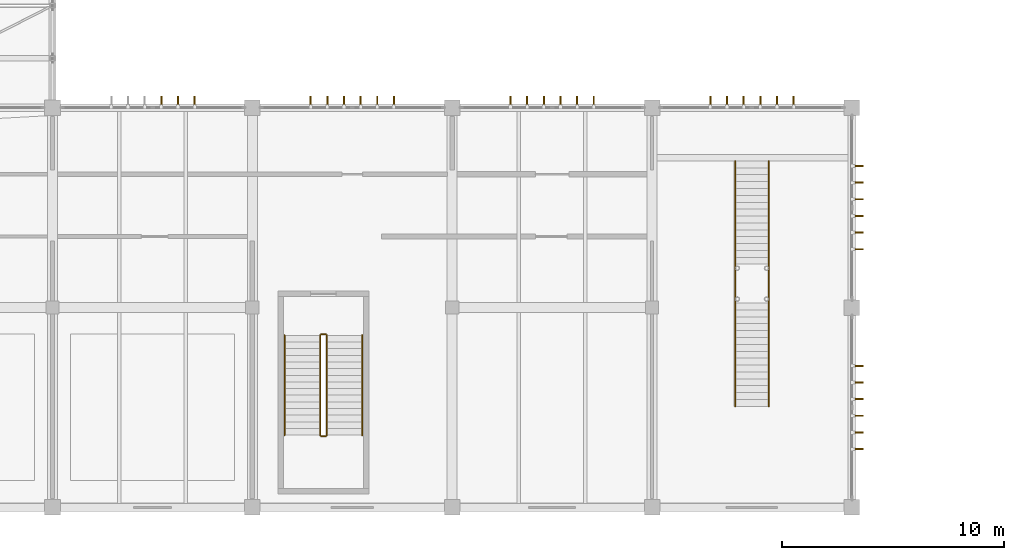
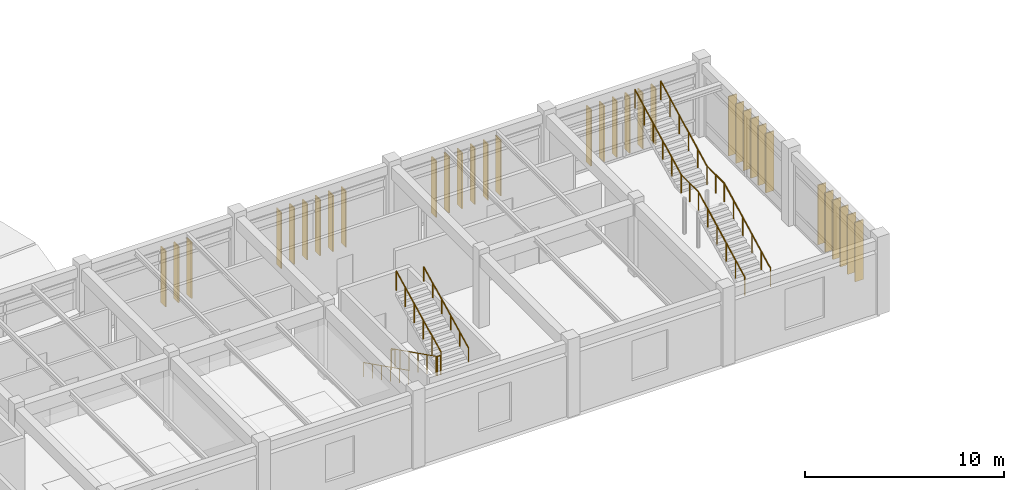
# One storey, part 56 of 61: 33 shading devices, 12 railings.
"""IFC4 building model written with IfcOpenShell, lengths in metres."""

from ifc_helpers import new_model, si_unit, direction, frame, origin, origin_2d, place, context, subcontext, project, spatial, rectangle, circle, extrude, material, type_object, element, save


model = new_model("IFC4")

# Units and contexts
model_context = context("Model", 3, precision=1e-05, world=origin(), true_north=direction((0.0, 1.0)))
body_context = subcontext(model_context, "Body", "Model", "MODEL_VIEW")
ifc_project = project(units=[si_unit("LENGTHUNIT", "METRE"), si_unit("AREAUNIT", "SQUARE_METRE"), si_unit("VOLUMEUNIT", "CUBIC_METRE"), si_unit("PLANEANGLEUNIT", "RADIAN"), si_unit("MASSUNIT", "GRAM", prefix="KILO")], contexts=[model_context])

# Site, building, storey
site_placement = place(None, origin())
site = spatial("IfcSite", under=ifc_project, at=site_placement, CompositionType="ELEMENT")
building_placement = place(site_placement, origin())
building = spatial("IfcBuilding", under=site, at=building_placement, Name="Bozkorgan Art Gallery", CompositionType="ELEMENT")
storey_placement = place(building_placement, frame((0.0, 0.0, 10.199951171875)))
storey = spatial("IfcBuildingStorey", under=building, at=storey_placement, Name="L02", CompositionType="ELEMENT", Elevation=10.199951171875)

# Railings
ifc_material_1 = material(Name="Steel S355J2", Category="steel")
railing_type_1 = type_object("IfcRailingType", Name="RAIL-GRD-115", PredefinedType="GUARDRAIL", material=ifc_material_1)
railing_1_placement = place(storey_placement, frame((41.050048828125, 9.75, 0.150146484375)))
element("IfcRailing", 1, at=railing_1_placement, inside=storey, type_object=railing_type_1, Name="L02 ST12 stair guard 1", PredefinedType="GUARDRAIL", context=body_context, shape_type="SweptSolid", body=[
    extrude(circle(Radius=0.02392578125, at=origin_2d()), frame((0.0, 0.0, 1.17578125), z_axis=(0.0, -0.894427191, 0.4472135955), x_axis=(1.0, 0.0, 0.0)), (0.0, 0.0, 1.0), 5.03125),
    extrude(circle(Radius=0.02099609375, at=origin_2d()), origin(), (0.0, 0.0, 1.0), 1.15185546875),
    extrude(circle(Radius=0.02099609375, at=origin_2d()), frame((0.0, -0.89990234375, 0.449951171875)), (0.0, 0.0, 1.0), 1.15185546875),
    extrude(circle(Radius=0.02099609375, at=origin_2d()), frame((0.0, -1.800048828125, 0.89990234375)), (0.0, 0.0, 1.0), 1.15185546875),
    extrude(circle(Radius=0.02099609375, at=origin_2d()), frame((0.0, -2.699951171875, 1.35009765625)), (0.0, 0.0, 1.0), 1.15185546875),
    extrude(circle(Radius=0.02099609375, at=origin_2d()), frame((0.0, -3.60009765625, 1.800048828125)), (0.0, 0.0, 1.0), 1.15185546875),
    extrude(circle(Radius=0.02099609375, at=origin_2d()), frame((0.0, -4.5, 2.25)), (0.0, 0.0, 1.0), 1.15185546875),
])
railing_2_placement = place(storey_placement, frame((41.10009765625, 5.199951171875, 2.400146484375)))
element("IfcRailing", 2, at=railing_2_placement, inside=storey, type_object=railing_type_1, Name="L02 ST12 stair guard 2", PredefinedType="GUARDRAIL", context=body_context, shape_type="SweptSolid", body=[
    extrude(circle(Radius=0.02392578125, at=origin_2d()), frame((0.0, 0.0, 1.17578125), z_axis=(1.0, 0.0, 0.0), x_axis=(0.0, 1.0, 0.0)), (0.0, 0.0, 1.0), 0.199951171875),
    extrude(circle(Radius=0.02099609375, at=origin_2d()), origin(), (0.0, 0.0, 1.0), 1.15185546875),
    extrude(circle(Radius=0.02099609375, at=origin_2d()), frame((0.199951171875, 0.0, 0.0)), (0.0, 0.0, 1.0), 1.15185546875),
])
railing_3_placement = place(storey_placement, frame((41.35009765625, 5.25, 2.550048828125)))
element("IfcRailing", 3, at=railing_3_placement, inside=storey, type_object=railing_type_1, Name="L02 ST12 stair guard 3", PredefinedType="GUARDRAIL", context=body_context, shape_type="SweptSolid", body=[
    extrude(circle(Radius=0.02392578125, at=origin_2d()), frame((0.0, 0.0, 1.17578125), z_axis=(0.0, 0.894427191, 0.4472135955), x_axis=(-1.0, 0.0, 0.0)), (0.0, 0.0, 1.0), 5.03125),
    extrude(circle(Radius=0.02099609375, at=origin_2d()), origin(), (0.0, 0.0, 1.0), 1.15185546875),
    extrude(circle(Radius=0.02099609375, at=origin_2d()), frame((0.0, 0.89990234375, 0.449951171875)), (0.0, 0.0, 1.0), 1.15185546875),
    extrude(circle(Radius=0.02099609375, at=origin_2d()), frame((0.0, 1.800048828125, 0.89990234375)), (0.0, 0.0, 1.0), 1.15185546875),
    extrude(circle(Radius=0.02099609375, at=origin_2d()), frame((0.0, 2.699951171875, 1.35009765625)), (0.0, 0.0, 1.0), 1.15185546875),
    extrude(circle(Radius=0.02099609375, at=origin_2d()), frame((0.0, 3.60009765625, 1.800048828125)), (0.0, 0.0, 1.0), 1.15185546875),
    extrude(circle(Radius=0.02099609375, at=origin_2d()), frame((0.0, 4.5, 2.25)), (0.0, 0.0, 1.0), 1.15185546875),
])
railing_4_placement = place(storey_placement, frame((41.10009765625, 9.800048828125, 0.0)))
element("IfcRailing", 4, at=railing_4_placement, inside=storey, type_object=railing_type_1, Name="L02 ST12 stair guard 4", PredefinedType="GUARDRAIL", context=body_context, shape_type="SweptSolid", body=[
    extrude(circle(Radius=0.02392578125, at=origin_2d()), frame((0.0, 0.0, 1.17578125), z_axis=(1.0, 0.0, 0.0), x_axis=(0.0, 1.0, 0.0)), (0.0, 0.0, 1.0), 0.199951171875),
    extrude(circle(Radius=0.02099609375, at=origin_2d()), origin(), (0.0, 0.0, 1.0), 1.15185546875),
    extrude(circle(Radius=0.02099609375, at=origin_2d()), frame((0.199951171875, 0.0, 0.0)), (0.0, 0.0, 1.0), 1.15185546875),
])
railing_5_placement = place(storey_placement, frame((59.75, 6.550048828125, 0.0)))
element("IfcRailing", 5, at=railing_5_placement, inside=storey, type_object=railing_type_1, Name="ST8 lower guard W", PredefinedType="GUARDRAIL", context=body_context, shape_type="SweptSolid", body=[
    extrude(circle(Radius=0.02392578125, at=origin_2d()), frame((0.0, 0.0, 1.1259765625), z_axis=(0.0, 0.888605321884, 0.458672630444), x_axis=(-1.0, 0.0, 0.0)), (0.0, 0.0, 1.0), 5.23291015625),
    extrude(circle(Radius=0.02099609375, at=origin_2d()), origin(), (0.0, 0.0, 1.0), 1.101806640625),
    extrude(circle(Radius=0.02099609375, at=origin_2d()), frame((0.0, 0.929931640625, 0.47998046875)), (0.0, 0.0, 1.0), 1.101806640625),
    extrude(circle(Radius=0.02099609375, at=origin_2d()), frame((0.0, 1.85986328125, 0.9599609375)), (0.0, 0.0, 1.0), 1.101806640625),
    extrude(circle(Radius=0.02099609375, at=origin_2d()), frame((0.0, 2.7900390625, 1.440185546875)), (0.0, 0.0, 1.0), 1.101806640625),
    extrude(circle(Radius=0.02099609375, at=origin_2d()), frame((0.0, 3.719970703125, 1.920166015625)), (0.0, 0.0, 1.0), 1.101806640625),
    extrude(circle(Radius=0.02099609375, at=origin_2d()), frame((0.0, 4.64990234375, 2.400146484375)), (0.0, 0.0, 1.0), 1.101806640625),
])
railing_6_placement = place(storey_placement, frame((59.75, 11.199951171875, 2.400146484375)))
element("IfcRailing", 6, at=railing_6_placement, inside=storey, type_object=railing_type_1, Name="ST8 landing guard W", PredefinedType="GUARDRAIL", context=body_context, shape_type="SweptSolid", body=[
    extrude(circle(Radius=0.02392578125, at=origin_2d()), frame((0.0, 0.0, 1.1259765625), z_axis=(0.0, 1.0, 0.0), x_axis=(-1.0, 0.0, 0.0)), (0.0, 0.0, 1.0), 1.75),
    extrude(circle(Radius=0.02099609375, at=origin_2d()), origin(), (0.0, 0.0, 1.0), 1.101806640625),
    extrude(circle(Radius=0.02099609375, at=origin_2d()), frame((0.0, 0.875, 0.0)), (0.0, 0.0, 1.0), 1.101806640625),
    extrude(circle(Radius=0.02099609375, at=origin_2d()), frame((0.0, 1.75, 0.0)), (0.0, 0.0, 1.0), 1.101806640625),
])
railing_7_placement = place(storey_placement, frame((59.75, 12.949951171875, 2.400146484375)))
element("IfcRailing", 7, at=railing_7_placement, inside=storey, type_object=railing_type_1, Name="ST8 upper guard W", PredefinedType="GUARDRAIL", context=body_context, shape_type="SweptSolid", body=[
    extrude(circle(Radius=0.02392578125, at=origin_2d()), frame((0.0, 0.0, 1.1259765625), z_axis=(0.0, 0.888634150913, 0.458616774477), x_axis=(-1.0, 0.0, 0.0)), (0.0, 0.0, 1.0), 5.23291015625),
    extrude(circle(Radius=0.02099609375, at=origin_2d()), origin(), (0.0, 0.0, 1.0), 1.101806640625),
    extrude(circle(Radius=0.02099609375, at=origin_2d()), frame((0.0, 0.929931640625, 0.47998046875)), (0.0, 0.0, 1.0), 1.101806640625),
    extrude(circle(Radius=0.02099609375, at=origin_2d()), frame((0.0, 1.860107421875, 0.9599609375)), (0.0, 0.0, 1.0), 1.101806640625),
    extrude(circle(Radius=0.02099609375, at=origin_2d()), frame((0.0, 2.7900390625, 1.43994140625)), (0.0, 0.0, 1.0), 1.101806640625),
    extrude(circle(Radius=0.02099609375, at=origin_2d()), frame((0.0, 3.72021484375, 1.919921875)), (0.0, 0.0, 1.0), 1.101806640625),
    extrude(circle(Radius=0.02099609375, at=origin_2d()), frame((0.0, 4.650146484375, 2.39990234375)), (0.0, 0.0, 1.0), 1.101806640625),
])
railing_8_placement = place(storey_placement, frame((61.25, 6.550048828125, 0.0)))
element("IfcRailing", 8, at=railing_8_placement, inside=storey, type_object=railing_type_1, Name="ST8 lower guard E", PredefinedType="GUARDRAIL", context=body_context, shape_type="SweptSolid", body=[
    extrude(circle(Radius=0.02392578125, at=origin_2d()), frame((0.0, 0.0, 1.1259765625), z_axis=(0.0, 0.888605321884, 0.458672630444), x_axis=(-1.0, 0.0, 0.0)), (0.0, 0.0, 1.0), 5.23291015625),
    extrude(circle(Radius=0.02099609375, at=origin_2d()), origin(), (0.0, 0.0, 1.0), 1.101806640625),
    extrude(circle(Radius=0.02099609375, at=origin_2d()), frame((0.0, 0.929931640625, 0.47998046875)), (0.0, 0.0, 1.0), 1.101806640625),
    extrude(circle(Radius=0.02099609375, at=origin_2d()), frame((0.0, 1.85986328125, 0.9599609375)), (0.0, 0.0, 1.0), 1.101806640625),
    extrude(circle(Radius=0.02099609375, at=origin_2d()), frame((0.0, 2.7900390625, 1.440185546875)), (0.0, 0.0, 1.0), 1.101806640625),
    extrude(circle(Radius=0.02099609375, at=origin_2d()), frame((0.0, 3.719970703125, 1.920166015625)), (0.0, 0.0, 1.0), 1.101806640625),
    extrude(circle(Radius=0.02099609375, at=origin_2d()), frame((0.0, 4.64990234375, 2.400146484375)), (0.0, 0.0, 1.0), 1.101806640625),
])
railing_9_placement = place(storey_placement, frame((61.25, 11.199951171875, 2.400146484375)))
element("IfcRailing", 9, at=railing_9_placement, inside=storey, type_object=railing_type_1, Name="ST8 landing guard E", PredefinedType="GUARDRAIL", context=body_context, shape_type="SweptSolid", body=[
    extrude(circle(Radius=0.02392578125, at=origin_2d()), frame((0.0, 0.0, 1.1259765625), z_axis=(0.0, 1.0, 0.0), x_axis=(-1.0, 0.0, 0.0)), (0.0, 0.0, 1.0), 1.75),
    extrude(circle(Radius=0.02099609375, at=origin_2d()), origin(), (0.0, 0.0, 1.0), 1.101806640625),
    extrude(circle(Radius=0.02099609375, at=origin_2d()), frame((0.0, 0.875, 0.0)), (0.0, 0.0, 1.0), 1.101806640625),
    extrude(circle(Radius=0.02099609375, at=origin_2d()), frame((0.0, 1.75, 0.0)), (0.0, 0.0, 1.0), 1.101806640625),
])
railing_10_placement = place(storey_placement, frame((61.25, 12.949951171875, 2.400146484375)))
element("IfcRailing", 10, at=railing_10_placement, inside=storey, type_object=railing_type_1, Name="ST8 upper guard E", PredefinedType="GUARDRAIL", context=body_context, shape_type="SweptSolid", body=[
    extrude(circle(Radius=0.02392578125, at=origin_2d()), frame((0.0, 0.0, 1.1259765625), z_axis=(0.0, 0.888634150913, 0.458616774477), x_axis=(-1.0, 0.0, 0.0)), (0.0, 0.0, 1.0), 5.23291015625),
    extrude(circle(Radius=0.02099609375, at=origin_2d()), origin(), (0.0, 0.0, 1.0), 1.101806640625),
    extrude(circle(Radius=0.02099609375, at=origin_2d()), frame((0.0, 0.929931640625, 0.47998046875)), (0.0, 0.0, 1.0), 1.101806640625),
    extrude(circle(Radius=0.02099609375, at=origin_2d()), frame((0.0, 1.860107421875, 0.9599609375)), (0.0, 0.0, 1.0), 1.101806640625),
    extrude(circle(Radius=0.02099609375, at=origin_2d()), frame((0.0, 2.7900390625, 1.43994140625)), (0.0, 0.0, 1.0), 1.101806640625),
    extrude(circle(Radius=0.02099609375, at=origin_2d()), frame((0.0, 3.72021484375, 1.919921875)), (0.0, 0.0, 1.0), 1.101806640625),
    extrude(circle(Radius=0.02099609375, at=origin_2d()), frame((0.0, 4.650146484375, 2.39990234375)), (0.0, 0.0, 1.0), 1.101806640625),
])
railing_type_2 = type_object("IfcRailingType", Name="RAIL-HND-092", PredefinedType="HANDRAIL", material=ifc_material_1)
railing_11_placement = place(storey_placement, frame((39.449951171875, 9.75, 0.150146484375)))
element("IfcRailing", 11, at=railing_11_placement, inside=storey, type_object=railing_type_2, Name="L02 ST12 stair handrail 1", PredefinedType="HANDRAIL", context=body_context, shape_type="SweptSolid", body=[
    extrude(circle(Radius=0.02392578125, at=origin_2d()), frame((0.0, 0.0, 0.8759765625), z_axis=(0.0, -0.894427191, 0.4472135955), x_axis=(1.0, 0.0, 0.0)), (0.0, 0.0, 1.0), 5.03125),
    extrude(circle(Radius=0.02099609375, at=origin_2d()), origin(), (0.0, 0.0, 1.0), 0.851806640625),
    extrude(circle(Radius=0.02099609375, at=origin_2d()), frame((0.0, -0.89990234375, 0.449951171875)), (0.0, 0.0, 1.0), 0.851806640625),
    extrude(circle(Radius=0.02099609375, at=origin_2d()), frame((0.0, -1.800048828125, 0.89990234375)), (0.0, 0.0, 1.0), 0.851806640625),
    extrude(circle(Radius=0.02099609375, at=origin_2d()), frame((0.0, -2.699951171875, 1.35009765625)), (0.0, 0.0, 1.0), 0.851806640625),
    extrude(circle(Radius=0.02099609375, at=origin_2d()), frame((0.0, -3.60009765625, 1.800048828125)), (0.0, 0.0, 1.0), 0.851806640625),
    extrude(circle(Radius=0.02099609375, at=origin_2d()), frame((0.0, -4.5, 2.25)), (0.0, 0.0, 1.0), 0.851806640625),
])
railing_12_placement = place(storey_placement, frame((42.949951171875, 5.25, 2.550048828125)))
element("IfcRailing", 12, at=railing_12_placement, inside=storey, type_object=railing_type_2, Name="L02 ST12 stair handrail 2", PredefinedType="HANDRAIL", context=body_context, shape_type="SweptSolid", body=[
    extrude(circle(Radius=0.02392578125, at=origin_2d()), frame((0.0, 0.0, 0.8759765625), z_axis=(0.0, 0.894427191, 0.4472135955), x_axis=(-1.0, 0.0, 0.0)), (0.0, 0.0, 1.0), 5.03125),
    extrude(circle(Radius=0.02099609375, at=origin_2d()), origin(), (0.0, 0.0, 1.0), 0.851806640625),
    extrude(circle(Radius=0.02099609375, at=origin_2d()), frame((0.0, 0.89990234375, 0.449951171875)), (0.0, 0.0, 1.0), 0.851806640625),
    extrude(circle(Radius=0.02099609375, at=origin_2d()), frame((0.0, 1.800048828125, 0.89990234375)), (0.0, 0.0, 1.0), 0.851806640625),
    extrude(circle(Radius=0.02099609375, at=origin_2d()), frame((0.0, 2.699951171875, 1.35009765625)), (0.0, 0.0, 1.0), 0.851806640625),
    extrude(circle(Radius=0.02099609375, at=origin_2d()), frame((0.0, 3.60009765625, 1.800048828125)), (0.0, 0.0, 1.0), 0.851806640625),
    extrude(circle(Radius=0.02099609375, at=origin_2d()), frame((0.0, 4.5, 2.25)), (0.0, 0.0, 1.0), 0.851806640625),
])

# Shading devices
ifc_material_2 = material(Name="Polychrome Vitrified Ceramic Tile")
shading_device_type = type_object("IfcShadingDeviceType", Name="SHD-FIN-01", PredefinedType="USERDEFINED", material=ifc_material_2)
for number, where, z_axis, x_axis, name in (
    (13, (33.89990234375, 20.280029296875, 0.139892578125), (0.0, 0.0, 1.0), (0.0, 1.0, 0.0), "CW-V1-L02-1N-08 vertical solar fin 4"),
    (14, (34.64990234375, 20.280029296875, 0.139892578125), (0.0, 0.0, 1.0), (0.0, 1.0, 0.0), "CW-V1-L02-1N-08 vertical solar fin 5"),
    (15, (35.39990234375, 20.280029296875, 0.139892578125), (0.0, 0.0, 1.0), (0.0, 1.0, 0.0), "CW-V1-L02-1N-08 vertical solar fin 6"),
    (16, (40.625, 20.280029296875, 0.139892578125), (0.0, 0.0, 1.0), (0.0, 1.0, 0.0), "CW-V1-L02-1N-10 vertical solar fin 1"),
    (17, (41.375, 20.280029296875, 0.139892578125), (0.0, 0.0, 1.0), (0.0, 1.0, 0.0), "CW-V1-L02-1N-10 vertical solar fin 2"),
    (18, (42.125, 20.280029296875, 0.139892578125), (0.0, 0.0, 1.0), (0.0, 1.0, 0.0), "CW-V1-L02-1N-10 vertical solar fin 3"),
    (19, (42.875, 20.280029296875, 0.139892578125), (0.0, 0.0, 1.0), (0.0, 1.0, 0.0), "CW-V1-L02-1N-10 vertical solar fin 4"),
    (20, (43.625, 20.280029296875, 0.139892578125), (0.0, 0.0, 1.0), (0.0, 1.0, 0.0), "CW-V1-L02-1N-10 vertical solar fin 5"),
    (21, (44.375, 20.280029296875, 0.139892578125), (0.0, 0.0, 1.0), (0.0, 1.0, 0.0), "CW-V1-L02-1N-10 vertical solar fin 6"),
    (22, (49.625, 20.280029296875, 0.139892578125), (0.0, 0.0, 1.0), (0.0, 1.0, 0.0), "CW-V1-L02-1N-12 vertical solar fin 1"),
    (23, (50.375, 20.280029296875, 0.139892578125), (0.0, 0.0, 1.0), (0.0, 1.0, 0.0), "CW-V1-L02-1N-12 vertical solar fin 2"),
    (24, (51.125, 20.280029296875, 0.139892578125), (0.0, 0.0, 1.0), (0.0, 1.0, 0.0), "CW-V1-L02-1N-12 vertical solar fin 3"),
    (25, (51.875, 20.280029296875, 0.139892578125), (0.0, 0.0, 1.0), (0.0, 1.0, 0.0), "CW-V1-L02-1N-12 vertical solar fin 4"),
    (26, (52.625, 20.280029296875, 0.139892578125), (0.0, 0.0, 1.0), (0.0, 1.0, 0.0), "CW-V1-L02-1N-12 vertical solar fin 5"),
    (27, (53.375, 20.280029296875, 0.139892578125), (0.0, 0.0, 1.0), (0.0, 1.0, 0.0), "CW-V1-L02-1N-12 vertical solar fin 6"),
    (28, (58.625, 20.280029296875, 0.139892578125), (0.0, 0.0, 1.0), (0.0, 1.0, 0.0), "CW-V1-L02-1N-14 vertical solar fin 1"),
    (29, (59.375, 20.280029296875, 0.139892578125), (0.0, 0.0, 1.0), (0.0, 1.0, 0.0), "CW-V1-L02-1N-14 vertical solar fin 2"),
    (30, (60.125, 20.280029296875, 0.139892578125), (0.0, 0.0, 1.0), (0.0, 1.0, 0.0), "CW-V1-L02-1N-14 vertical solar fin 3"),
    (31, (60.875, 20.280029296875, 0.139892578125), (0.0, 0.0, 1.0), (0.0, 1.0, 0.0), "CW-V1-L02-1N-14 vertical solar fin 4"),
    (32, (61.625, 20.280029296875, 0.139892578125), (0.0, 0.0, 1.0), (0.0, 1.0, 0.0), "CW-V1-L02-1N-14 vertical solar fin 5"),
    (33, (62.375, 20.280029296875, 0.139892578125), (0.0, 0.0, 1.0), (0.0, 1.0, 0.0), "CW-V1-L02-1N-14 vertical solar fin 6"),
):
    element("IfcShadingDevice", number, at=place(storey_placement, frame(where, z_axis=z_axis, x_axis=x_axis)), inside=storey, type_object=shading_device_type, Name=name, ObjectType="FIN", PredefinedType="USERDEFINED", context=body_context, shape_type="SweptSolid", body=[
        extrude(rectangle(XDim=0.47998046875, YDim=0.06494140625, at=origin_2d()), origin(), (0.0, 0.0, 1.0), 3.455078125),
    ])
for number, where, z_axis, x_axis, name in (
    (34, (65.280029296875, 4.625, 0.14013671875), (0.0, 0.0, 1.0), (1.0, 0.0, 0.0), "CW-V1-L02-1E-16 vertical solar fin 1"),
    (35, (65.280029296875, 5.375, 0.14013671875), (0.0, 0.0, 1.0), (1.0, 0.0, 0.0), "CW-V1-L02-1E-16 vertical solar fin 2"),
    (36, (65.280029296875, 6.125, 0.14013671875), (0.0, 0.0, 1.0), (1.0, 0.0, 0.0), "CW-V1-L02-1E-16 vertical solar fin 3"),
    (37, (65.280029296875, 6.875, 0.14013671875), (0.0, 0.0, 1.0), (1.0, 0.0, 0.0), "CW-V1-L02-1E-16 vertical solar fin 4"),
    (38, (65.280029296875, 7.625, 0.14013671875), (0.0, 0.0, 1.0), (1.0, 0.0, 0.0), "CW-V1-L02-1E-16 vertical solar fin 5"),
    (39, (65.280029296875, 8.375, 0.14013671875), (0.0, 0.0, 1.0), (1.0, 0.0, 0.0), "CW-V1-L02-1E-16 vertical solar fin 6"),
    (40, (65.280029296875, 13.625, 0.14013671875), (0.0, 0.0, 1.0), (1.0, 0.0, 0.0), "CW-V1-L02-1E-18 vertical solar fin 1"),
    (41, (65.280029296875, 14.375, 0.14013671875), (0.0, 0.0, 1.0), (1.0, 0.0, 0.0), "CW-V1-L02-1E-18 vertical solar fin 2"),
    (42, (65.280029296875, 15.125, 0.14013671875), (0.0, 0.0, 1.0), (1.0, 0.0, 0.0), "CW-V1-L02-1E-18 vertical solar fin 3"),
    (43, (65.280029296875, 15.875, 0.14013671875), (0.0, 0.0, 1.0), (1.0, 0.0, 0.0), "CW-V1-L02-1E-18 vertical solar fin 4"),
    (44, (65.280029296875, 16.625, 0.14013671875), (0.0, 0.0, 1.0), (1.0, 0.0, 0.0), "CW-V1-L02-1E-18 vertical solar fin 5"),
    (45, (65.280029296875, 17.375, 0.14013671875), (0.0, 0.0, 1.0), (1.0, 0.0, 0.0), "CW-V1-L02-1E-18 vertical solar fin 6"),
):
    element("IfcShadingDevice", number, at=place(storey_placement, frame(where, z_axis=z_axis, x_axis=x_axis)), inside=storey, type_object=shading_device_type, Name=name, ObjectType="FIN", PredefinedType="USERDEFINED", context=body_context, shape_type="SweptSolid", body=[
        extrude(rectangle(XDim=0.47998046875, YDim=0.06494140625, at=origin_2d()), origin(), (0.0, 0.0, 1.0), 3.655029296875),
    ])

save(model, "model.ifc")
